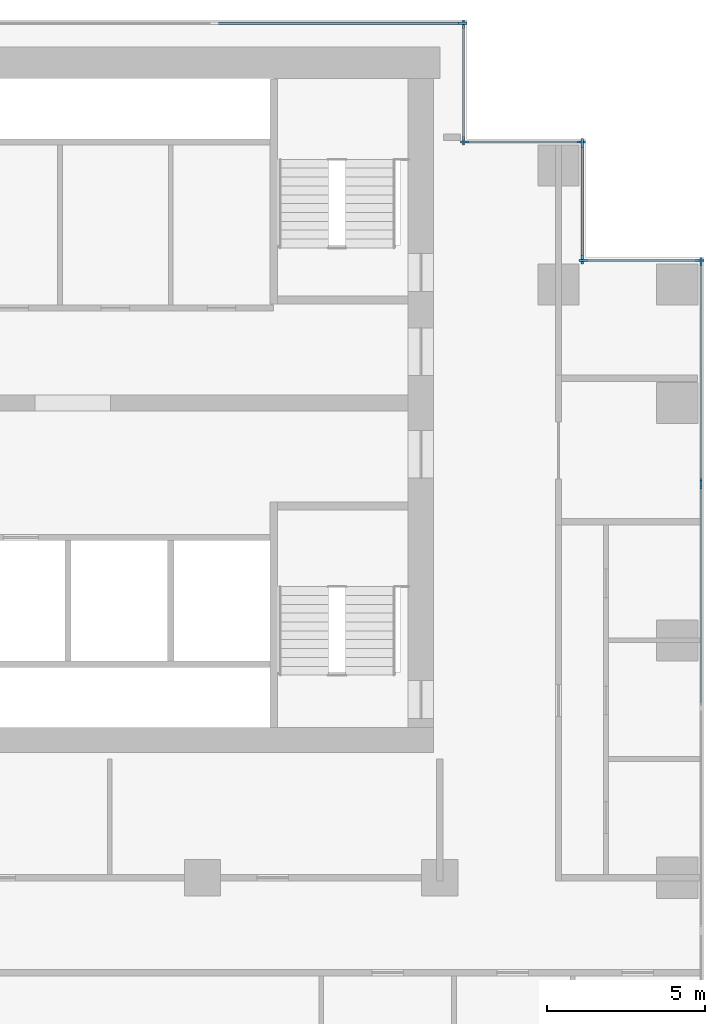
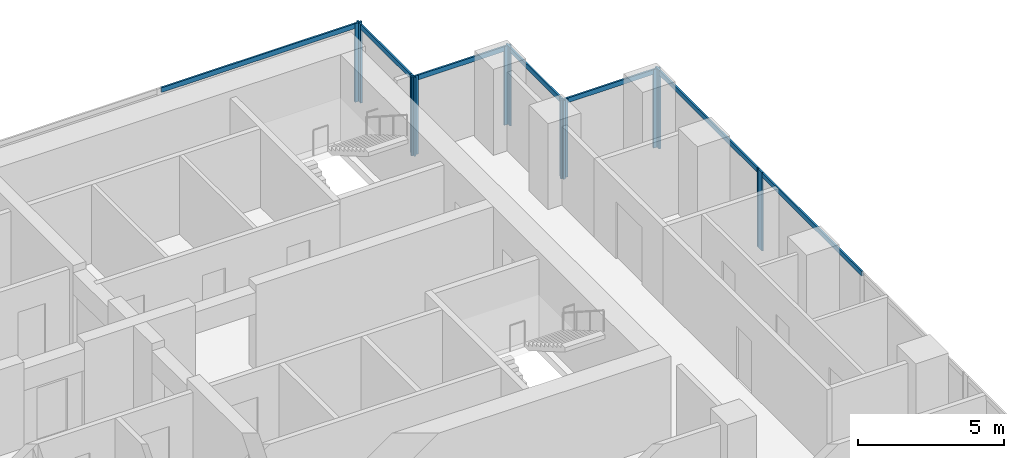
# One storey, part 5 of 10: 19 members, 7 elements without a shape of their own.
"""IFC4 building model written with IfcOpenShell, lengths in metres."""

from ifc_helpers import new_model, si_unit, direction, frame, origin, origin_2d, place, context, subcontext, project, spatial, rectangle, extrude, material, material_profile, profile_set, type_object, element, aggregate, save


model = new_model("IFC4")

# Units and contexts
model_context = context("Model", 3, precision=1e-05, world=origin(), true_north=direction((0.0, 1.0)))
body_context = subcontext(model_context, "Body", "Model", "MODEL_VIEW")
ifc_project = project(units=[si_unit("LENGTHUNIT", "METRE"), si_unit("AREAUNIT", "SQUARE_METRE"), si_unit("VOLUMEUNIT", "CUBIC_METRE"), si_unit("PLANEANGLEUNIT", "RADIAN"), si_unit("MASSUNIT", "GRAM", prefix="KILO")], contexts=[model_context])

# Site, building, storey
site_placement = place(None, origin())
site = spatial("IfcSite", under=ifc_project, at=site_placement, CompositionType="ELEMENT")
building_placement = place(site_placement, origin())
building = spatial("IfcBuilding", under=site, at=building_placement, Name="Pilkhan Gate Tower", CompositionType="ELEMENT")
storey_placement = place(building_placement, frame((0.0, 0.0, 110.800048828125)))
storey = spatial("IfcBuildingStorey", under=building, at=storey_placement, Name="L27", CompositionType="ELEMENT", Elevation=110.800048828125)

# Curtain wall, member
ifc_material_1 = material(Name="Pale anodised aluminium, clear low-iron double glazing", Category="aluminium")
curtain_wall_type = type_object("IfcCurtainWallType", Name="Office unitised curtain wall CW-O1", PredefinedType="USERDEFINED", material=ifc_material_1)
curtain_wall_1_placement = place(storey_placement, origin())
curtain_wall_1 = element("IfcCurtainWall", 1, at=curtain_wall_1_placement, inside=storey, type_object=curtain_wall_type, Name="Office unitised curtain wall CW-O1 L27 E", ObjectType="UNITISED CURTAIN WALL", PredefinedType="USERDEFINED")
ifc_material_2 = material(Name="Pale anodised aluminium", Category="aluminium")
ifc_material_profile_1 = material_profile(ifc_material_2, rectangle(XDim=0.070068359375, YDim=0.27490234375, at=origin_2d()), Name="Mullion 275x70")
ifc_profile_set_1 = profile_set([ifc_material_profile_1], Name="Pale anodised aluminium")
member_type_1 = type_object("IfcMemberType", Name="Mullion CW-O1 275x70", PredefinedType="MULLION", material=ifc_profile_set_1)
member_1_placement = place(storey_placement, frame((98.25, 79.9150390625, 0.0), z_axis=(0.0, 0.0, 1.0), x_axis=(-1.0, 0.0, 0.0)))
member_1 = element("IfcMember", 2, at=member_1_placement, type_object=member_type_1, Name="CW-O1 mullion 3", PredefinedType="MULLION", context=body_context, shape_type="SweptSolid", body=[
    extrude(rectangle(XDim=0.070068359375, YDim=0.27490234375, at=origin_2d()), origin(), (0.0, 0.0, 1.0), 3.300048828125),
])

# Curtain wall, members
curtain_wall_2_placement = place(storey_placement, origin())
curtain_wall_2 = element("IfcCurtainWall", 3, at=curtain_wall_2_placement, inside=storey, type_object=curtain_wall_type, Name="Office unitised curtain wall CW-O1 L27 E", ObjectType="UNITISED CURTAIN WALL", PredefinedType="USERDEFINED")
member_2_placement = place(storey_placement, frame((98.25, 79.985107421875, 0.0), z_axis=(0.0, 0.0, 1.0), x_axis=(-1.0, 0.0, 0.0)))
member_2 = element("IfcMember", 4, at=member_2_placement, type_object=member_type_1, Name="CW-O1 mullion 1", PredefinedType="MULLION", context=body_context, shape_type="SweptSolid", body=[
    extrude(rectangle(XDim=0.070068359375, YDim=0.27490234375, at=origin_2d()), origin(), (0.0, 0.0, 1.0), 3.300048828125),
])
member_3_placement = place(storey_placement, frame((98.25, 86.965087890625, 0.0), z_axis=(0.0, 0.0, 1.0), x_axis=(-1.0, 0.0, 0.0)))
member_3 = element("IfcMember", 5, at=member_3_placement, type_object=member_type_1, Name="CW-O1 mullion 2", PredefinedType="MULLION", context=body_context, shape_type="SweptSolid", body=[
    extrude(rectangle(XDim=0.070068359375, YDim=0.27490234375, at=origin_2d()), origin(), (0.0, 0.0, 1.0), 3.300048828125),
])

curtain_wall_3_placement = place(storey_placement, origin())
curtain_wall_3 = element("IfcCurtainWall", 6, at=curtain_wall_3_placement, inside=storey, type_object=curtain_wall_type, Name="Office unitised curtain wall CW-O1 L27 N", ObjectType="UNITISED CURTAIN WALL", PredefinedType="USERDEFINED")
member_4_placement = place(storey_placement, frame((94.534912109375, 87.0, 0.0), z_axis=(0.0, 0.0, 1.0), x_axis=(0.0, 1.0, 0.0)))
member_4 = element("IfcMember", 7, at=member_4_placement, type_object=member_type_1, Name="CW-O1 mullion 1", PredefinedType="MULLION", context=body_context, shape_type="SweptSolid", body=[
    extrude(rectangle(XDim=0.070068359375, YDim=0.27490234375, at=origin_2d()), origin(), (0.0, 0.0, 1.0), 3.300048828125),
])
member_5_placement = place(storey_placement, frame((98.215087890625, 87.0, 0.0), z_axis=(0.0, 0.0, 1.0), x_axis=(0.0, 1.0, 0.0)))
member_5 = element("IfcMember", 8, at=member_5_placement, type_object=member_type_1, Name="CW-O1 mullion 2", PredefinedType="MULLION", context=body_context, shape_type="SweptSolid", body=[
    extrude(rectangle(XDim=0.070068359375, YDim=0.27490234375, at=origin_2d()), origin(), (0.0, 0.0, 1.0), 3.300048828125),
])

curtain_wall_4_placement = place(storey_placement, origin())
curtain_wall_4 = element("IfcCurtainWall", 9, at=curtain_wall_4_placement, inside=storey, type_object=curtain_wall_type, Name="Office unitised curtain wall CW-O1 L27 E", ObjectType="UNITISED CURTAIN WALL", PredefinedType="USERDEFINED")
member_6_placement = place(storey_placement, frame((94.5, 87.034912109375, 0.0), z_axis=(0.0, 0.0, 1.0), x_axis=(-1.0, 0.0, 0.0)))
member_6 = element("IfcMember", 10, at=member_6_placement, type_object=member_type_1, Name="CW-O1 mullion 1", PredefinedType="MULLION", context=body_context, shape_type="SweptSolid", body=[
    extrude(rectangle(XDim=0.070068359375, YDim=0.27490234375, at=origin_2d()), origin(), (0.0, 0.0, 1.0), 3.300048828125),
])
member_7_placement = place(storey_placement, frame((94.5, 90.715087890625, 0.0), z_axis=(0.0, 0.0, 1.0), x_axis=(-1.0, 0.0, 0.0)))
member_7 = element("IfcMember", 11, at=member_7_placement, type_object=member_type_1, Name="CW-O1 mullion 2", PredefinedType="MULLION", context=body_context, shape_type="SweptSolid", body=[
    extrude(rectangle(XDim=0.070068359375, YDim=0.27490234375, at=origin_2d()), origin(), (0.0, 0.0, 1.0), 3.300048828125),
])

curtain_wall_5_placement = place(storey_placement, origin())
curtain_wall_5 = element("IfcCurtainWall", 12, at=curtain_wall_5_placement, inside=storey, type_object=curtain_wall_type, Name="Office unitised curtain wall CW-O1 L27 N", ObjectType="UNITISED CURTAIN WALL", PredefinedType="USERDEFINED")
member_8_placement = place(storey_placement, frame((90.784912109375, 90.75, 0.0), z_axis=(0.0, 0.0, 1.0), x_axis=(0.0, 1.0, 0.0)))
member_8 = element("IfcMember", 13, at=member_8_placement, type_object=member_type_1, Name="CW-O1 mullion 1", PredefinedType="MULLION", context=body_context, shape_type="SweptSolid", body=[
    extrude(rectangle(XDim=0.070068359375, YDim=0.27490234375, at=origin_2d()), origin(), (0.0, 0.0, 1.0), 3.300048828125),
])
member_9_placement = place(storey_placement, frame((94.465087890625, 90.75, 0.0), z_axis=(0.0, 0.0, 1.0), x_axis=(0.0, 1.0, 0.0)))
member_9 = element("IfcMember", 14, at=member_9_placement, type_object=member_type_1, Name="CW-O1 mullion 2", PredefinedType="MULLION", context=body_context, shape_type="SweptSolid", body=[
    extrude(rectangle(XDim=0.070068359375, YDim=0.27490234375, at=origin_2d()), origin(), (0.0, 0.0, 1.0), 3.300048828125),
])

curtain_wall_6_placement = place(storey_placement, origin())
curtain_wall_6 = element("IfcCurtainWall", 15, at=curtain_wall_6_placement, inside=storey, type_object=curtain_wall_type, Name="Office unitised curtain wall CW-O1 L27 E", ObjectType="UNITISED CURTAIN WALL", PredefinedType="USERDEFINED")
member_10_placement = place(storey_placement, frame((90.75, 90.784912109375, 0.0), z_axis=(0.0, 0.0, 1.0), x_axis=(-1.0, 0.0, 0.0)))
member_10 = element("IfcMember", 16, at=member_10_placement, type_object=member_type_1, Name="CW-O1 mullion 1", PredefinedType="MULLION", context=body_context, shape_type="SweptSolid", body=[
    extrude(rectangle(XDim=0.070068359375, YDim=0.27490234375, at=origin_2d()), origin(), (0.0, 0.0, 1.0), 3.300048828125),
])
member_11_placement = place(storey_placement, frame((90.75, 94.465087890625, 0.0), z_axis=(0.0, 0.0, 1.0), x_axis=(-1.0, 0.0, 0.0)))
member_11 = element("IfcMember", 17, at=member_11_placement, type_object=member_type_1, Name="CW-O1 mullion 2", PredefinedType="MULLION", context=body_context, shape_type="SweptSolid", body=[
    extrude(rectangle(XDim=0.070068359375, YDim=0.27490234375, at=origin_2d()), origin(), (0.0, 0.0, 1.0), 3.300048828125),
])

# Curtain wall, member
curtain_wall_7_placement = place(storey_placement, origin())
curtain_wall_7 = element("IfcCurtainWall", 18, at=curtain_wall_7_placement, inside=storey, type_object=curtain_wall_type, Name="Office unitised curtain wall CW-O1 L27 N", ObjectType="UNITISED CURTAIN WALL", PredefinedType="USERDEFINED")
member_12_placement = place(storey_placement, frame((90.715087890625, 94.5, 0.0), z_axis=(0.0, 0.0, 1.0), x_axis=(0.0, 1.0, 0.0)))
member_12 = element("IfcMember", 19, at=member_12_placement, type_object=member_type_1, Name="CW-O1 mullion 3", PredefinedType="MULLION", context=body_context, shape_type="SweptSolid", body=[
    extrude(rectangle(XDim=0.070068359375, YDim=0.27490234375, at=origin_2d()), origin(), (0.0, 0.0, 1.0), 3.300048828125),
])

# Member
ifc_material_profile_2 = material_profile(ifc_material_2, rectangle(XDim=0.070068359375, YDim=0.199951171875, at=origin_2d()), Name="Transom 200x70")
ifc_profile_set_2 = profile_set([ifc_material_profile_2], Name="Pale anodised aluminium")
member_type_2 = type_object("IfcMemberType", Name="Transom CW-O1 200x70", PredefinedType="USERDEFINED", material=ifc_profile_set_2)
member_13_placement = place(storey_placement, frame((98.25, 72.93505859375, 3.199951171875), z_axis=(0.0, 1.0, 0.0), x_axis=(-1.0, 0.0, 0.0)))
member_13 = element("IfcMember", 20, at=member_13_placement, type_object=member_type_2, Name="CW-O1 transom 2", ObjectType="TRANSOM", PredefinedType="USERDEFINED", context=body_context, shape_type="SweptSolid", body=[
    extrude(rectangle(XDim=0.070068359375, YDim=0.199951171875, at=origin_2d()), origin(), (0.0, 0.0, 1.0), 6.94482421875),
])

aggregate(curtain_wall_1, [member_1, member_13])

member_14_placement = place(storey_placement, frame((98.25, 80.02001953125, 3.199951171875), z_axis=(0.0, 1.0, 0.0), x_axis=(-1.0, 0.0, 0.0)))
member_14 = element("IfcMember", 21, at=member_14_placement, type_object=member_type_2, Name="CW-O1 transom 1", ObjectType="TRANSOM", PredefinedType="USERDEFINED", context=body_context, shape_type="SweptSolid", body=[
    extrude(rectangle(XDim=0.070068359375, YDim=0.199951171875, at=origin_2d()), origin(), (0.0, 0.0, 1.0), 6.909912109375),
])

aggregate(curtain_wall_2, [member_2, member_3, member_14])

member_15_placement = place(storey_placement, frame((94.570068359375, 87.0, 3.199951171875), z_axis=(1.0, 0.0, 0.0), x_axis=(0.0, 1.0, 0.0)))
member_15 = element("IfcMember", 22, at=member_15_placement, type_object=member_type_2, Name="CW-O1 transom 1", ObjectType="TRANSOM", PredefinedType="USERDEFINED", context=body_context, shape_type="SweptSolid", body=[
    extrude(rectangle(XDim=0.070068359375, YDim=0.199951171875, at=origin_2d()), origin(), (0.0, 0.0, 1.0), 3.60986328125),
])

aggregate(curtain_wall_3, [member_4, member_5, member_15])

member_16_placement = place(storey_placement, frame((94.5, 87.070068359375, 3.199951171875), z_axis=(0.0, 1.0, 0.0), x_axis=(-1.0, 0.0, 0.0)))
member_16 = element("IfcMember", 23, at=member_16_placement, type_object=member_type_2, Name="CW-O1 transom 1", ObjectType="TRANSOM", PredefinedType="USERDEFINED", context=body_context, shape_type="SweptSolid", body=[
    extrude(rectangle(XDim=0.070068359375, YDim=0.199951171875, at=origin_2d()), origin(), (0.0, 0.0, 1.0), 3.60986328125),
])

aggregate(curtain_wall_4, [member_6, member_7, member_16])

member_17_placement = place(storey_placement, frame((90.820068359375, 90.75, 3.199951171875), z_axis=(1.0, 0.0, 0.0), x_axis=(0.0, 1.0, 0.0)))
member_17 = element("IfcMember", 24, at=member_17_placement, type_object=member_type_2, Name="CW-O1 transom 1", ObjectType="TRANSOM", PredefinedType="USERDEFINED", context=body_context, shape_type="SweptSolid", body=[
    extrude(rectangle(XDim=0.070068359375, YDim=0.199951171875, at=origin_2d()), origin(), (0.0, 0.0, 1.0), 3.60986328125),
])

aggregate(curtain_wall_5, [member_8, member_9, member_17])

member_18_placement = place(storey_placement, frame((90.75, 90.820068359375, 3.199951171875), z_axis=(0.0, 1.0, 0.0), x_axis=(-1.0, 0.0, 0.0)))
member_18 = element("IfcMember", 25, at=member_18_placement, type_object=member_type_2, Name="CW-O1 transom 1", ObjectType="TRANSOM", PredefinedType="USERDEFINED", context=body_context, shape_type="SweptSolid", body=[
    extrude(rectangle(XDim=0.070068359375, YDim=0.199951171875, at=origin_2d()), origin(), (0.0, 0.0, 1.0), 3.60986328125),
])

aggregate(curtain_wall_6, [member_10, member_11, member_18])

member_19_placement = place(storey_placement, frame((82.909912109375, 94.5, 3.199951171875), z_axis=(1.0, 0.0, 0.0), x_axis=(0.0, 1.0, 0.0)))
member_19 = element("IfcMember", 26, at=member_19_placement, type_object=member_type_2, Name="CW-O1 transom 2", ObjectType="TRANSOM", PredefinedType="USERDEFINED", context=body_context, shape_type="SweptSolid", body=[
    extrude(rectangle(XDim=0.070068359375, YDim=0.199951171875, at=origin_2d()), origin(), (0.0, 0.0, 1.0), 7.77001953125),
])

aggregate(curtain_wall_7, [member_12, member_19])

save(model, "model.ifc")
